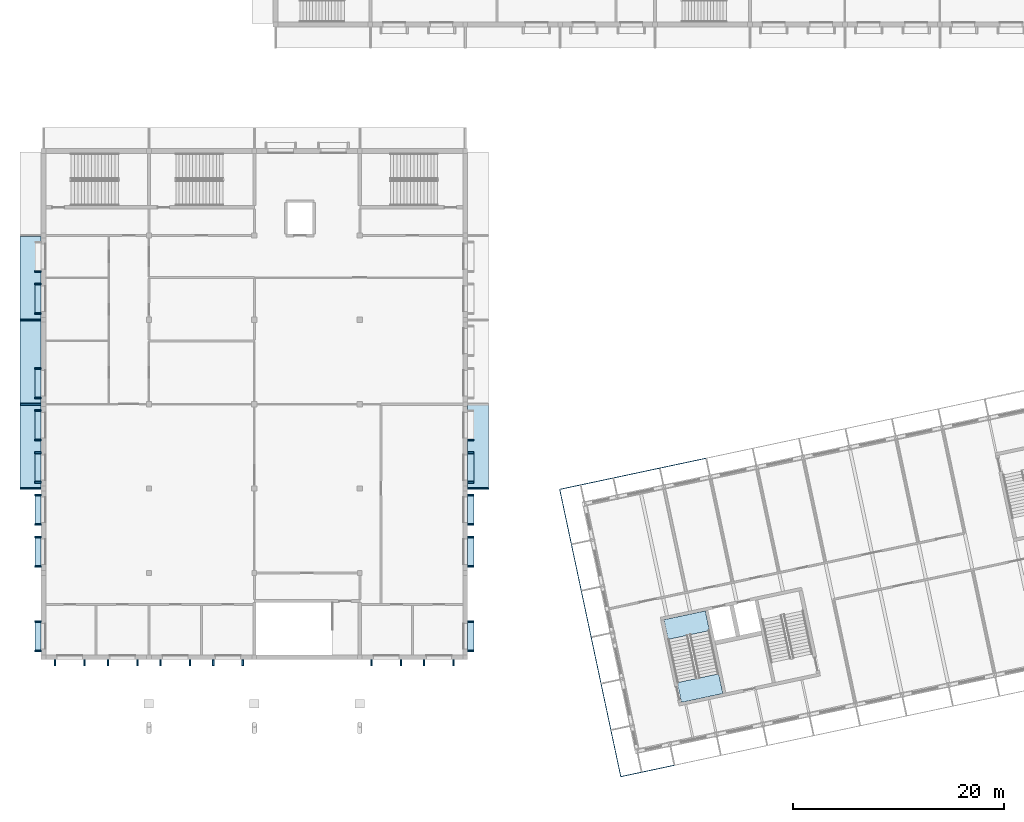
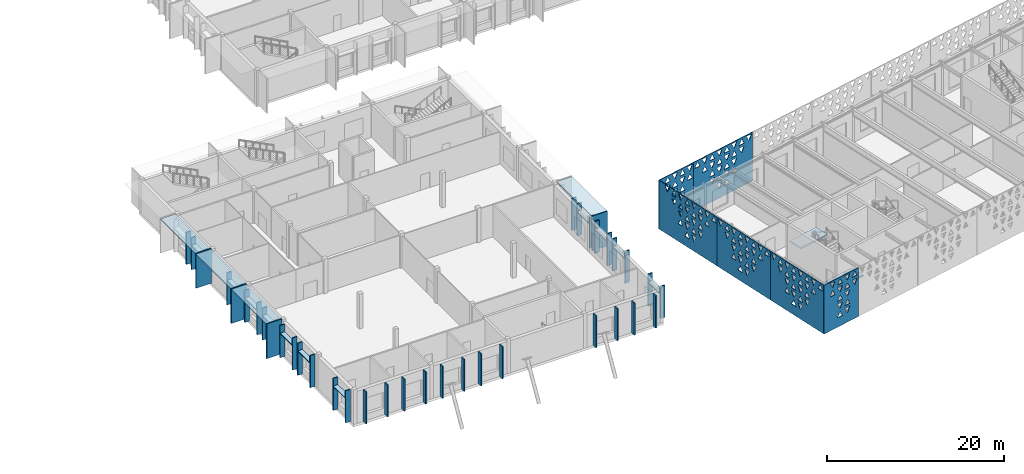
# One storey, part 95 of 182: 61 plates, 2 slabs, 1 element without a shape of its own.
"""IFC4 building model written with IfcOpenShell, lengths in metres."""

from ifc_helpers import new_model, si_unit, direction, frame, origin, origin_2d, place, context, subcontext, project, spatial, polyline, rectangle, outline, extrude, material, layer, layer_set, type_object, element, aggregate, save


model = new_model("IFC4")

# Units and contexts
model_context = context("Model", 3, precision=1e-05, world=origin(), true_north=direction((0.0, 1.0)))
body_context = subcontext(model_context, "Body", "Model", "MODEL_VIEW")
ifc_project = project(units=[si_unit("LENGTHUNIT", "METRE"), si_unit("AREAUNIT", "SQUARE_METRE"), si_unit("VOLUMEUNIT", "CUBIC_METRE"), si_unit("PLANEANGLEUNIT", "RADIAN"), si_unit("MASSUNIT", "GRAM", prefix="KILO")], contexts=[model_context])

# Site, building, storey
site_placement = place(None, origin())
site = spatial("IfcSite", under=ifc_project, at=site_placement, CompositionType="ELEMENT")
building_placement = place(site_placement, origin())
building = spatial("IfcBuilding", under=site, at=building_placement, Name="Okhra Congress Centre", CompositionType="ELEMENT")
storey_placement = place(building_placement, frame((0.0, 0.0, 7.199951171875)))
storey = spatial("IfcBuildingStorey", under=building, at=storey_placement, Name="L01", CompositionType="ELEMENT", Elevation=7.199951171875)

# Plates
ifc_material_1 = material(Name="Anodised aluminium extrusion", Category="aluminium")
plate_type_1 = type_object("IfcPlateType", Name="Aluminium fin 150x600", PredefinedType="SHEET", material=ifc_material_1)
for number, where, z_axis, x_axis, name in (
    (1, (7.10009765625, 35.47509765625, 0.0), (0.0, 0.0, 1.0), (1.0, 0.0, 0.0), "RS.PLT.L01.1"),
    (2, (9.89990234375, 35.47509765625, 0.0), (0.0, 0.0, 1.0), (1.0, 0.0, 0.0), "RS.PLT.L01.2"),
    (3, (12.10009765625, 35.47509765625, 0.0), (0.0, 0.0, 1.0), (1.0, 0.0, 0.0), "RS.PLT.L01.3"),
    (4, (14.89990234375, 35.47509765625, 0.0), (0.0, 0.0, 1.0), (1.0, 0.0, 0.0), "RS.PLT.L01.4"),
    (5, (17.10009765625, 35.47509765625, 0.0), (0.0, 0.0, 1.0), (1.0, 0.0, 0.0), "RS.PLT.L01.5"),
    (6, (19.89990234375, 35.47509765625, 0.0), (0.0, 0.0, 1.0), (1.0, 0.0, 0.0), "RS.PLT.L01.6"),
    (7, (22.10009765625, 35.47509765625, 0.0), (0.0, 0.0, 1.0), (1.0, 0.0, 0.0), "RS.PLT.L01.7"),
    (8, (24.89990234375, 35.47509765625, 0.0), (0.0, 0.0, 1.0), (1.0, 0.0, 0.0), "RS.PLT.L01.8"),
    (9, (37.10009765625, 35.47509765625, 0.0), (0.0, 0.0, 1.0), (1.0, 0.0, 0.0), "RS.PLT.L01.9"),
    (10, (39.89990234375, 35.47509765625, 0.0), (0.0, 0.0, 1.0), (1.0, 0.0, 0.0), "RS.PLT.L01.10"),
    (11, (42.10009765625, 35.47509765625, 0.0), (0.0, 0.0, 1.0), (1.0, 0.0, 0.0), "RS.PLT.L01.11"),
    (12, (44.89990234375, 35.47509765625, 0.0), (0.0, 0.0, 1.0), (1.0, 0.0, 0.0), "RS.PLT.L01.12"),
    (13, (5.47509765625, 36.60009765625, 0.0), (0.0, 0.0, 1.0), (0.0, -1.0, 0.0), "RS.PLT.L01.17"),
    (14, (5.47509765625, 39.39990234375, 0.0), (0.0, 0.0, 1.0), (0.0, -1.0, 0.0), "RS.PLT.L01.18"),
    (15, (5.47509765625, 44.60009765625, 0.0), (0.0, 0.0, 1.0), (0.0, -1.0, 0.0), "RS.PLT.L01.19"),
    (16, (5.47509765625, 47.39990234375, 0.0), (0.0, 0.0, 1.0), (0.0, -1.0, 0.0), "RS.PLT.L01.20"),
    (17, (5.47509765625, 48.60009765625, 0.0), (0.0, 0.0, 1.0), (0.0, -1.0, 0.0), "RS.PLT.L01.21"),
    (18, (5.47509765625, 51.39990234375, 0.0), (0.0, 0.0, 1.0), (0.0, -1.0, 0.0), "RS.PLT.L01.22"),
    (19, (5.47509765625, 52.60009765625, 0.0), (0.0, 0.0, 1.0), (0.0, -1.0, 0.0), "RS.PLT.L01.23"),
    (20, (5.47509765625, 55.39990234375, 0.0), (0.0, 0.0, 1.0), (0.0, -1.0, 0.0), "RS.PLT.L01.24"),
    (21, (5.47509765625, 56.60009765625, 0.0), (0.0, 0.0, 1.0), (0.0, -1.0, 0.0), "RS.PLT.L01.25"),
    (22, (5.47509765625, 59.39990234375, 0.0), (0.0, 0.0, 1.0), (0.0, -1.0, 0.0), "RS.PLT.L01.26"),
    (23, (5.47509765625, 60.60009765625, 0.0), (0.0, 0.0, 1.0), (0.0, -1.0, 0.0), "RS.PLT.L01.27"),
    (24, (5.47509765625, 63.39990234375, 0.0), (0.0, 0.0, 1.0), (0.0, -1.0, 0.0), "RS.PLT.L01.28"),
    (25, (5.47509765625, 68.60009765625, 0.0), (0.0, 0.0, 1.0), (0.0, -1.0, 0.0), "RS.PLT.L01.29"),
    (26, (5.47509765625, 71.39990234375, 0.0), (0.0, 0.0, 1.0), (0.0, -1.0, 0.0), "RS.PLT.L01.30"),
    (27, (5.47509765625, 72.60009765625, 0.0), (0.0, 0.0, 1.0), (0.0, -1.0, 0.0), "RS.PLT.L01.31"),
    (28, (46.52490234375, 36.60009765625, 0.0), (0.0, 0.0, 1.0), (0.0, 1.0, 0.0), "RS.PLT.L01.33"),
    (29, (46.52490234375, 39.39990234375, 0.0), (0.0, 0.0, 1.0), (0.0, 1.0, 0.0), "RS.PLT.L01.34"),
    (30, (46.52490234375, 44.60009765625, 0.0), (0.0, 0.0, 1.0), (0.0, 1.0, 0.0), "RS.PLT.L01.35"),
    (31, (46.52490234375, 47.39990234375, 0.0), (0.0, 0.0, 1.0), (0.0, 1.0, 0.0), "RS.PLT.L01.36"),
    (32, (46.52490234375, 48.60009765625, 0.0), (0.0, 0.0, 1.0), (0.0, 1.0, 0.0), "RS.PLT.L01.37"),
    (33, (46.52490234375, 51.39990234375, 0.0), (0.0, 0.0, 1.0), (0.0, 1.0, 0.0), "RS.PLT.L01.38"),
    (34, (46.52490234375, 52.60009765625, 0.0), (0.0, 0.0, 1.0), (0.0, 1.0, 0.0), "RS.PLT.L01.39"),
    (35, (46.52490234375, 55.39990234375, 0.0), (0.0, 0.0, 1.0), (0.0, 1.0, 0.0), "RS.PLT.L01.40"),
    (36, (46.52490234375, 56.60009765625, 0.0), (0.0, 0.0, 1.0), (0.0, 1.0, 0.0), "RS.PLT.L01.41"),
):
    element("IfcPlate", number, at=place(storey_placement, frame(where, z_axis=z_axis, x_axis=x_axis)), inside=storey, type_object=plate_type_1, Name=name, PredefinedType="SHEET", context=body_context, shape_type="SweptSolid", body=[
        extrude(rectangle(XDim=0.14990234375, YDim=0.60009765625, at=origin_2d()), origin(), (0.0, 0.0, 1.0), 4.429931640625),
    ])
ifc_material_2 = material(Name="Precast concrete C40/50", Category="concrete")
plate_type_2 = type_object("IfcPlateType", Name="Precast concrete blade 150x2000 C40/50", PredefinedType="SHEET", material=ifc_material_2)
for number, where, z_axis, x_axis, name in (
    (37, (4.77490234375, 52.0, 0.0), (0.0, 0.0, 1.0), (0.0, -1.0, 0.0), "RS.PLT.L01.blade-6"),
    (38, (4.77490234375, 60.0, 0.0), (0.0, 0.0, 1.0), (0.0, -1.0, 0.0), "RS.PLT.L01.blade-7"),
    (39, (4.77490234375, 68.0, 0.0), (0.0, 0.0, 1.0), (0.0, -1.0, 0.0), "RS.PLT.L01.blade-8"),
    (40, (47.22509765625, 52.0, 0.0), (0.0, 0.0, 1.0), (0.0, 1.0, 0.0), "RS.PLT.L01.blade-10"),
):
    element("IfcPlate", number, at=place(storey_placement, frame(where, z_axis=z_axis, x_axis=x_axis)), inside=storey, type_object=plate_type_2, Name=name, PredefinedType="SHEET", context=body_context, shape_type="SweptSolid", body=[
        extrude(rectangle(XDim=0.14990234375, YDim=2.0, at=origin_2d()), origin(), (0.0, 0.0, 1.0), 4.800048828125),
    ])
ifc_layer_1 = layer(ifc_material_2, 0.14990234375)
ifc_layer_set_1 = layer_set([ifc_layer_1], Name="Precast concrete shelf 150x2000 C40/50")
plate_type_3 = type_object("IfcPlateType", Name="Precast concrete shelf 150x2000 C40/50", PredefinedType="SHEET", material=ifc_layer_set_1)
for number, where, z_axis, x_axis, name in (
    (41, (4.77490234375, 56.0, 4.60009765625), (0.0, 0.0, 1.0), (0.0, -1.0, 0.0), "RS.PLT.L01.shelf-5"),
    (42, (4.77490234375, 64.0, 4.60009765625), (0.0, 0.0, 1.0), (0.0, -1.0, 0.0), "RS.PLT.L01.shelf-6"),
    (43, (4.77490234375, 72.0, 4.60009765625), (0.0, 0.0, 1.0), (0.0, -1.0, 0.0), "RS.PLT.L01.shelf-7"),
    (44, (47.22509765625, 56.0, 4.60009765625), (0.0, 0.0, 1.0), (0.0, 1.0, 0.0), "RS.PLT.L01.shelf-9"),
):
    element("IfcPlate", number, at=place(storey_placement, frame(where, z_axis=z_axis, x_axis=x_axis)), inside=storey, type_object=plate_type_3, Name=name, PredefinedType="SHEET", context=body_context, shape_type="SweptSolid", body=[
        extrude(rectangle(XDim=7.840087890625, YDim=2.0, at=origin_2d()), origin(), (0.0, 0.0, 1.0), 0.14990234375),
    ])

# Slab
ifc_material_3 = material(Name="Concrete C30/37", Category="concrete")
ifc_layer_2 = layer(ifc_material_3, 0.199951171875)
ifc_layer_set_2 = layer_set([ifc_layer_2], Name="RC floor slab 200 REI 120 C30/37")
slab_type_1 = type_object("IfcSlabType", Name="RC floor slab 200 REI 120 C30/37", PredefinedType="FLOOR", material=ifc_layer_set_2)
slab_1_placement = place(storey_placement, frame((0.0, 0.0, -0.199951171875)))
element("IfcSlab", 45, at=slab_1_placement, inside=storey, type_object=slab_type_1, Name="Stair floor landing 1A L01", PredefinedType="FLOOR", context=body_context, shape_type="SweptSolid", body=[
    extrude(outline(polyline([(70.425537109375, 32.562255859375), (66.503173828125, 31.728515625), (66.106201171875, 33.596923828125), (70.028564453125, 34.4306640625), (70.425537109375, 32.562255859375)])), origin(), (0.0, 0.0, 1.0), 0.199951171875),
])

# Stair, slab
stair_type = type_object("IfcStairType", Name="Escape stair 1900 wide, 30 risers of 160.0", PredefinedType="HALF_TURN_STAIR", material=ifc_material_3)
stair_placement = place(storey_placement, origin())
stair = element("IfcStair", 46, at=stair_placement, inside=storey, type_object=stair_type, Name="L01 Escape stair 1A", PredefinedType="HALF_TURN_STAIR")
ifc_layer_3 = layer(ifc_material_3, 0.199951171875)
ifc_layer_set_3 = layer_set([ifc_layer_3], Name="RC stair landing 200 C30/37")
slab_type_2 = type_object("IfcSlabType", Name="RC stair landing 200 C30/37", PredefinedType="LANDING", material=ifc_layer_set_3)
slab_2_placement = place(storey_placement, frame((0.0, 0.0, 2.199951171875)))
slab_2 = element("IfcSlab", 47, at=slab_2_placement, type_object=slab_type_2, Name="BS1A landing 1", PredefinedType="LANDING", context=body_context, shape_type="SweptSolid", body=[
    extrude(outline(polyline([(69.1572265625, 38.529052734375), (65.23486328125, 37.6953125), (64.837890625, 39.5634765625), (68.76025390625, 40.397216796875), (69.1572265625, 38.529052734375)])), origin(), (0.0, 0.0, 1.0), 0.2001953125),
])
aggregate(stair, [slab_2])

# Plates
ifc_material_4 = material(Name="Fired clay terracotta rainscreen panel, deep oxide-red glaze, non-combustible", Category="masonry")
ifc_layer_4 = layer(ifc_material_4, 0.080078125)
ifc_layer_set_4 = layer_set([ifc_layer_4], Name="Terracotta screen panel 5230x6720")
plate_type_4 = type_object("IfcPlateType", Name="Terracotta screen panel 5230x6720", PredefinedType="SHEET", material=ifc_layer_set_4)
plate_1_placement = place(storey_placement, frame((60.708251953125, 24.674560546875, 0.010009765625), z_axis=(0.0, 0.0, 1.0), x_axis=(0.978146748157, 0.207915701837, 0.0)))
element("IfcPlate", 48, at=plate_1_placement, inside=storey, type_object=plate_type_4, Name="Screen panel S1 Tier 1", PredefinedType="SHEET", context=body_context, shape_type="SweptSolid", body=[
    extrude(outline(polyline([(0.0, 0.0), (5.22998046875, 0.0), (5.22998046875, 6.719970703125), (0.0, 6.719970703125), (0.0, 0.0)]), holes=[polyline([(2.04638671875, 1.303955078125), (2.8134765625, 1.303955078125), (2.429931640625, 2.05615234375), (2.04638671875, 1.303955078125)]), polyline([(3.16650390625, 2.05615234375), (3.550048828125, 1.303955078125), (3.93359375, 2.05615234375), (3.16650390625, 2.05615234375)]), polyline([(2.04638671875, 3.176025390625), (2.429931640625, 2.423828125), (2.8134765625, 3.176025390625), (2.04638671875, 3.176025390625)]), polyline([(3.16650390625, 2.423828125), (3.93359375, 2.423828125), (3.550048828125, 3.176025390625), (3.16650390625, 2.423828125)]), polyline([(2.04638671875, 3.5439453125), (2.8134765625, 3.5439453125), (2.429931640625, 4.296142578125), (2.04638671875, 3.5439453125)]), polyline([(3.16650390625, 4.296142578125), (3.550048828125, 3.5439453125), (3.93359375, 4.296142578125), (3.16650390625, 4.296142578125)]), polyline([(0.926513671875, 4.663818359375), (1.693603515625, 4.663818359375), (1.31005859375, 5.416015625), (0.926513671875, 4.663818359375)]), polyline([(2.04638671875, 5.416015625), (2.429931640625, 4.663818359375), (2.8134765625, 5.416015625), (2.04638671875, 5.416015625)]), polyline([(3.16650390625, 4.663818359375), (3.93359375, 4.663818359375), (3.550048828125, 5.416015625), (3.16650390625, 4.663818359375)]), polyline([(4.286376953125, 5.416015625), (4.669921875, 4.663818359375), (5.0537109375, 5.416015625), (4.286376953125, 5.416015625)]), polyline([(0.926513671875, 6.5361328125), (1.31005859375, 5.783935546875), (1.693603515625, 6.5361328125), (0.926513671875, 6.5361328125)]), polyline([(2.04638671875, 5.783935546875), (2.8134765625, 5.783935546875), (2.429931640625, 6.5361328125), (2.04638671875, 5.783935546875)]), polyline([(3.16650390625, 6.5361328125), (3.550048828125, 5.783935546875), (3.93359375, 6.5361328125), (3.16650390625, 6.5361328125)]), polyline([(4.286376953125, 5.783935546875), (5.0537109375, 5.783935546875), (4.669921875, 6.5361328125), (4.286376953125, 5.783935546875)])]), frame((0.0, 0.0400390625, 0.0), z_axis=(0.0, -1.0, 0.0), x_axis=(1.0, 0.0, 0.0)), (0.0, 0.0, 1.0), 0.080078125),
])
plate_2_placement = place(storey_placement, frame((60.033447265625, 53.00341796875, 0.010009765625), z_axis=(0.0, 0.0, 1.0), x_axis=(-0.978146748157, -0.207915701837, 0.0)))
element("IfcPlate", 49, at=plate_2_placement, inside=storey, type_object=plate_type_4, Name="Screen panel N19 Tier 1", PredefinedType="SHEET", context=body_context, shape_type="SweptSolid", body=[
    extrude(outline(polyline([(0.0, 0.0), (5.22998046875, 0.0), (5.22998046875, 6.719970703125), (0.0, 6.719970703125), (0.0, 0.0)]), holes=[polyline([(1.29638671875, 1.303955078125), (2.0634765625, 1.303955078125), (1.679931640625, 2.05615234375), (1.29638671875, 1.303955078125)]), polyline([(2.41650390625, 2.05615234375), (2.800048828125, 1.303955078125), (3.18359375, 2.05615234375), (2.41650390625, 2.05615234375)]), polyline([(1.29638671875, 3.176025390625), (1.679931640625, 2.423828125), (2.0634765625, 3.176025390625), (1.29638671875, 3.176025390625)]), polyline([(2.41650390625, 2.423828125), (3.18359375, 2.423828125), (2.800048828125, 3.176025390625), (2.41650390625, 2.423828125)]), polyline([(1.29638671875, 3.5439453125), (2.0634765625, 3.5439453125), (1.679931640625, 4.296142578125), (1.29638671875, 3.5439453125)]), polyline([(2.41650390625, 4.296142578125), (2.800048828125, 3.5439453125), (3.18359375, 4.296142578125), (2.41650390625, 4.296142578125)]), polyline([(0.176513671875, 4.663818359375), (0.943603515625, 4.663818359375), (0.56005859375, 5.416015625), (0.176513671875, 4.663818359375)]), polyline([(1.29638671875, 5.416015625), (1.679931640625, 4.663818359375), (2.0634765625, 5.416015625), (1.29638671875, 5.416015625)]), polyline([(2.41650390625, 4.663818359375), (3.18359375, 4.663818359375), (2.800048828125, 5.416015625), (2.41650390625, 4.663818359375)]), polyline([(3.536376953125, 5.416015625), (3.919921875, 4.663818359375), (4.3037109375, 5.416015625), (3.536376953125, 5.416015625)]), polyline([(0.176513671875, 6.5361328125), (0.56005859375, 5.783935546875), (0.943603515625, 6.5361328125), (0.176513671875, 6.5361328125)]), polyline([(1.29638671875, 5.783935546875), (2.0634765625, 5.783935546875), (1.679931640625, 6.5361328125), (1.29638671875, 5.783935546875)]), polyline([(2.41650390625, 6.5361328125), (2.800048828125, 5.783935546875), (3.18359375, 6.5361328125), (2.41650390625, 6.5361328125)]), polyline([(3.536376953125, 5.783935546875), (4.3037109375, 5.783935546875), (3.919921875, 6.5361328125), (3.536376953125, 5.783935546875)])]), frame((0.0, 0.0400390625, 0.0), z_axis=(0.0, -1.0, 0.0), x_axis=(1.0, 0.0, 0.0)), (0.0, 0.0, 1.0), 0.080078125),
])
ifc_layer_5 = layer(ifc_material_4, 0.080078125)
ifc_layer_set_5 = layer_set([ifc_layer_5], Name="Terracotta screen panel 8970x6720")
plate_type_5 = type_object("IfcPlateType", Name="Terracotta screen panel 8970x6720", PredefinedType="SHEET", material=ifc_layer_set_5)
plate_3_placement = place(storey_placement, frame((58.8740234375, 33.49609375, 0.010009765625), z_axis=(0.0, 0.0, 1.0), x_axis=(0.207915396115, -0.978146813141, 0.0)))
element("IfcPlate", 50, at=plate_3_placement, inside=storey, type_object=plate_type_5, Name="Screen panel W3 Tier 1", PredefinedType="SHEET", context=body_context, shape_type="SweptSolid", body=[
    extrude(outline(polyline([(0.0, 0.0), (8.969970703125, 0.0), (8.969970703125, 6.719970703125), (0.0, 6.719970703125), (0.0, 0.0)]), holes=[polyline([(3.536376953125, 1.303955078125), (4.3037109375, 1.303955078125), (3.919921875, 2.05615234375), (3.536376953125, 1.303955078125)]), polyline([(4.656494140625, 2.05615234375), (5.0400390625, 1.303955078125), (5.423583984375, 2.05615234375), (4.656494140625, 2.05615234375)]), polyline([(2.41650390625, 2.423828125), (3.18359375, 2.423828125), (2.800048828125, 3.176025390625), (2.41650390625, 2.423828125)]), polyline([(3.536376953125, 3.176025390625), (3.919921875, 2.423828125), (4.3037109375, 3.176025390625), (3.536376953125, 3.176025390625)]), polyline([(4.656494140625, 2.423828125), (5.423583984375, 2.423828125), (5.0400390625, 3.176025390625), (4.656494140625, 2.423828125)]), polyline([(5.7763671875, 3.176025390625), (6.159912109375, 2.423828125), (6.543701171875, 3.176025390625), (5.7763671875, 3.176025390625)]), polyline([(2.41650390625, 4.296142578125), (2.800048828125, 3.5439453125), (3.18359375, 4.296142578125), (2.41650390625, 4.296142578125)]), polyline([(3.536376953125, 3.5439453125), (4.3037109375, 3.5439453125), (3.919921875, 4.296142578125), (3.536376953125, 3.5439453125)]), polyline([(4.656494140625, 4.296142578125), (5.0400390625, 3.5439453125), (5.423583984375, 4.296142578125), (4.656494140625, 4.296142578125)]), polyline([(5.7763671875, 3.5439453125), (6.543701171875, 3.5439453125), (6.159912109375, 4.296142578125), (5.7763671875, 3.5439453125)]), polyline([(1.29638671875, 5.416015625), (1.679931640625, 4.663818359375), (2.0634765625, 5.416015625), (1.29638671875, 5.416015625)]), polyline([(2.41650390625, 4.663818359375), (3.18359375, 4.663818359375), (2.800048828125, 5.416015625), (2.41650390625, 4.663818359375)]), polyline([(3.536376953125, 5.416015625), (3.919921875, 4.663818359375), (4.3037109375, 5.416015625), (3.536376953125, 5.416015625)]), polyline([(4.656494140625, 4.663818359375), (5.423583984375, 4.663818359375), (5.0400390625, 5.416015625), (4.656494140625, 4.663818359375)]), polyline([(5.7763671875, 5.416015625), (6.159912109375, 4.663818359375), (6.543701171875, 5.416015625), (5.7763671875, 5.416015625)]), polyline([(6.896484375, 4.663818359375), (7.66357421875, 4.663818359375), (7.280029296875, 5.416015625), (6.896484375, 4.663818359375)]), polyline([(0.176513671875, 6.5361328125), (0.56005859375, 5.783935546875), (0.943603515625, 6.5361328125), (0.176513671875, 6.5361328125)]), polyline([(1.29638671875, 5.783935546875), (2.0634765625, 5.783935546875), (1.679931640625, 6.5361328125), (1.29638671875, 5.783935546875)]), polyline([(2.41650390625, 6.5361328125), (2.800048828125, 5.783935546875), (3.18359375, 6.5361328125), (2.41650390625, 6.5361328125)]), polyline([(3.536376953125, 5.783935546875), (4.3037109375, 5.783935546875), (3.919921875, 6.5361328125), (3.536376953125, 5.783935546875)]), polyline([(4.656494140625, 6.5361328125), (5.0400390625, 5.783935546875), (5.423583984375, 6.5361328125), (4.656494140625, 6.5361328125)]), polyline([(5.7763671875, 5.783935546875), (6.543701171875, 5.783935546875), (6.159912109375, 6.5361328125), (5.7763671875, 5.783935546875)]), polyline([(6.896484375, 6.5361328125), (7.280029296875, 5.783935546875), (7.66357421875, 6.5361328125), (6.896484375, 6.5361328125)]), polyline([(8.016357421875, 5.783935546875), (8.78369140625, 5.783935546875), (8.39990234375, 6.5361328125), (8.016357421875, 5.783935546875)])]), frame((0.0, 0.0400390625, 0.0), z_axis=(0.0, -1.0, 0.0), x_axis=(1.0, 0.0, 0.0)), (0.0, 0.0, 1.0), 0.080078125),
])
ifc_layer_6 = layer(ifc_material_4, 0.080078125)
ifc_layer_set_6 = layer_set([ifc_layer_6], Name="Terracotta screen panel 8980x6720")
plate_type_6 = type_object("IfcPlateType", Name="Terracotta screen panel 8980x6720", PredefinedType="SHEET", material=ifc_layer_set_6)
plate_4_placement = place(storey_placement, frame((68.8369140625, 54.87451171875, 0.010009765625), z_axis=(0.0, 0.0, 1.0), x_axis=(-0.978149591018, -0.207902327047, 0.0)))
element("IfcPlate", 51, at=plate_4_placement, inside=storey, type_object=plate_type_6, Name="Screen panel N18 Tier 1", PredefinedType="SHEET", context=body_context, shape_type="SweptSolid", body=[
    extrude(outline(polyline([(0.0, 0.0), (8.97998046875, 0.0), (8.97998046875, 6.719970703125), (0.0, 6.719970703125), (0.0, 0.0)]), holes=[polyline([(3.536376953125, 1.303955078125), (4.3037109375, 1.303955078125), (3.919921875, 2.05615234375), (3.536376953125, 1.303955078125)]), polyline([(4.656494140625, 2.05615234375), (5.0400390625, 1.303955078125), (5.423583984375, 2.05615234375), (4.656494140625, 2.05615234375)]), polyline([(2.41650390625, 2.423828125), (3.18359375, 2.423828125), (2.800048828125, 3.176025390625), (2.41650390625, 2.423828125)]), polyline([(3.536376953125, 3.176025390625), (3.919921875, 2.423828125), (4.3037109375, 3.176025390625), (3.536376953125, 3.176025390625)]), polyline([(4.656494140625, 2.423828125), (5.423583984375, 2.423828125), (5.0400390625, 3.176025390625), (4.656494140625, 2.423828125)]), polyline([(5.7763671875, 3.176025390625), (6.159912109375, 2.423828125), (6.543701171875, 3.176025390625), (5.7763671875, 3.176025390625)]), polyline([(2.41650390625, 4.296142578125), (2.800048828125, 3.5439453125), (3.18359375, 4.296142578125), (2.41650390625, 4.296142578125)]), polyline([(3.536376953125, 3.5439453125), (4.3037109375, 3.5439453125), (3.919921875, 4.296142578125), (3.536376953125, 3.5439453125)]), polyline([(4.656494140625, 4.296142578125), (5.0400390625, 3.5439453125), (5.423583984375, 4.296142578125), (4.656494140625, 4.296142578125)]), polyline([(5.7763671875, 3.5439453125), (6.543701171875, 3.5439453125), (6.159912109375, 4.296142578125), (5.7763671875, 3.5439453125)]), polyline([(1.29638671875, 5.416015625), (1.679931640625, 4.663818359375), (2.0634765625, 5.416015625), (1.29638671875, 5.416015625)]), polyline([(2.41650390625, 4.663818359375), (3.18359375, 4.663818359375), (2.800048828125, 5.416015625), (2.41650390625, 4.663818359375)]), polyline([(3.536376953125, 5.416015625), (3.919921875, 4.663818359375), (4.3037109375, 5.416015625), (3.536376953125, 5.416015625)]), polyline([(4.656494140625, 4.663818359375), (5.423583984375, 4.663818359375), (5.0400390625, 5.416015625), (4.656494140625, 4.663818359375)]), polyline([(5.7763671875, 5.416015625), (6.159912109375, 4.663818359375), (6.543701171875, 5.416015625), (5.7763671875, 5.416015625)]), polyline([(6.896484375, 4.663818359375), (7.66357421875, 4.663818359375), (7.280029296875, 5.416015625), (6.896484375, 4.663818359375)]), polyline([(0.176513671875, 6.5361328125), (0.56005859375, 5.783935546875), (0.943603515625, 6.5361328125), (0.176513671875, 6.5361328125)]), polyline([(1.29638671875, 5.783935546875), (2.0634765625, 5.783935546875), (1.679931640625, 6.5361328125), (1.29638671875, 5.783935546875)]), polyline([(2.41650390625, 6.5361328125), (2.800048828125, 5.783935546875), (3.18359375, 6.5361328125), (2.41650390625, 6.5361328125)]), polyline([(3.536376953125, 5.783935546875), (4.3037109375, 5.783935546875), (3.919921875, 6.5361328125), (3.536376953125, 5.783935546875)]), polyline([(4.656494140625, 6.5361328125), (5.0400390625, 5.783935546875), (5.423583984375, 6.5361328125), (4.656494140625, 6.5361328125)]), polyline([(5.7763671875, 5.783935546875), (6.543701171875, 5.783935546875), (6.159912109375, 6.5361328125), (5.7763671875, 5.783935546875)]), polyline([(6.896484375, 6.5361328125), (7.280029296875, 5.783935546875), (7.66357421875, 6.5361328125), (6.896484375, 6.5361328125)]), polyline([(8.016357421875, 5.783935546875), (8.78369140625, 5.783935546875), (8.39990234375, 6.5361328125), (8.016357421875, 5.783935546875)])]), frame((0.0, 0.0400390625, 0.0), z_axis=(0.0, -1.0, 0.0), x_axis=(1.0, 0.0, 0.0)), (0.0, 0.0, 1.0), 0.080078125),
])
plate_5_placement = place(storey_placement, frame((57.0029296875, 42.29931640625, 0.010009765625), z_axis=(0.0, 0.0, 1.0), x_axis=(0.207902327047, -0.978149591018, 0.0)))
element("IfcPlate", 52, at=plate_5_placement, inside=storey, type_object=plate_type_6, Name="Screen panel W2 Tier 1", PredefinedType="SHEET", context=body_context, shape_type="SweptSolid", body=[
    extrude(outline(polyline([(0.0, 0.0), (8.97998046875, 0.0), (8.97998046875, 6.719970703125), (0.0, 6.719970703125), (0.0, 0.0)]), holes=[polyline([(3.536376953125, 1.303955078125), (4.3037109375, 1.303955078125), (3.919921875, 2.05615234375), (3.536376953125, 1.303955078125)]), polyline([(4.656494140625, 2.05615234375), (5.0400390625, 1.303955078125), (5.423583984375, 2.05615234375), (4.656494140625, 2.05615234375)]), polyline([(2.41650390625, 2.423828125), (3.18359375, 2.423828125), (2.800048828125, 3.176025390625), (2.41650390625, 2.423828125)]), polyline([(3.536376953125, 3.176025390625), (3.919921875, 2.423828125), (4.3037109375, 3.176025390625), (3.536376953125, 3.176025390625)]), polyline([(4.656494140625, 2.423828125), (5.423583984375, 2.423828125), (5.0400390625, 3.176025390625), (4.656494140625, 2.423828125)]), polyline([(5.7763671875, 3.176025390625), (6.159912109375, 2.423828125), (6.543701171875, 3.176025390625), (5.7763671875, 3.176025390625)]), polyline([(2.41650390625, 4.296142578125), (2.800048828125, 3.5439453125), (3.18359375, 4.296142578125), (2.41650390625, 4.296142578125)]), polyline([(3.536376953125, 3.5439453125), (4.3037109375, 3.5439453125), (3.919921875, 4.296142578125), (3.536376953125, 3.5439453125)]), polyline([(4.656494140625, 4.296142578125), (5.0400390625, 3.5439453125), (5.423583984375, 4.296142578125), (4.656494140625, 4.296142578125)]), polyline([(5.7763671875, 3.5439453125), (6.543701171875, 3.5439453125), (6.159912109375, 4.296142578125), (5.7763671875, 3.5439453125)]), polyline([(1.29638671875, 5.416015625), (1.679931640625, 4.663818359375), (2.0634765625, 5.416015625), (1.29638671875, 5.416015625)]), polyline([(2.41650390625, 4.663818359375), (3.18359375, 4.663818359375), (2.800048828125, 5.416015625), (2.41650390625, 4.663818359375)]), polyline([(3.536376953125, 5.416015625), (3.919921875, 4.663818359375), (4.3037109375, 5.416015625), (3.536376953125, 5.416015625)]), polyline([(4.656494140625, 4.663818359375), (5.423583984375, 4.663818359375), (5.0400390625, 5.416015625), (4.656494140625, 4.663818359375)]), polyline([(5.7763671875, 5.416015625), (6.159912109375, 4.663818359375), (6.543701171875, 5.416015625), (5.7763671875, 5.416015625)]), polyline([(6.896484375, 4.663818359375), (7.66357421875, 4.663818359375), (7.280029296875, 5.416015625), (6.896484375, 4.663818359375)]), polyline([(0.176513671875, 6.5361328125), (0.56005859375, 5.783935546875), (0.943603515625, 6.5361328125), (0.176513671875, 6.5361328125)]), polyline([(1.29638671875, 5.783935546875), (2.0634765625, 5.783935546875), (1.679931640625, 6.5361328125), (1.29638671875, 5.783935546875)]), polyline([(2.41650390625, 6.5361328125), (2.800048828125, 5.783935546875), (3.18359375, 6.5361328125), (2.41650390625, 6.5361328125)]), polyline([(3.536376953125, 5.783935546875), (4.3037109375, 5.783935546875), (3.919921875, 6.5361328125), (3.536376953125, 5.783935546875)]), polyline([(4.656494140625, 6.5361328125), (5.0400390625, 5.783935546875), (5.423583984375, 6.5361328125), (4.656494140625, 6.5361328125)]), polyline([(5.7763671875, 5.783935546875), (6.543701171875, 5.783935546875), (6.159912109375, 6.5361328125), (5.7763671875, 5.783935546875)]), polyline([(6.896484375, 6.5361328125), (7.280029296875, 5.783935546875), (7.66357421875, 6.5361328125), (6.896484375, 6.5361328125)]), polyline([(8.016357421875, 5.783935546875), (8.78369140625, 5.783935546875), (8.39990234375, 6.5361328125), (8.016357421875, 5.783935546875)])]), frame((0.0, 0.0400390625, 0.0), z_axis=(0.0, -1.0, 0.0), x_axis=(1.0, 0.0, 0.0)), (0.0, 0.0, 1.0), 0.080078125),
])
ifc_layer_7 = layer(ifc_material_4, 0.080078125)
ifc_layer_set_7 = layer_set([ifc_layer_7], Name="Terracotta screen panel 9780x6720")
plate_type_7 = type_object("IfcPlateType", Name="Terracotta screen panel 9780x6720", PredefinedType="SHEET", material=ifc_layer_set_7)
plate_6_placement = place(storey_placement, frame((54.96533203125, 51.88525390625, 0.010009765625), z_axis=(0.0, 0.0, 1.0), x_axis=(0.207916077978, -0.978146668204, 0.0)))
element("IfcPlate", 53, at=plate_6_placement, inside=storey, type_object=plate_type_7, Name="Screen panel W1 Tier 1", PredefinedType="SHEET", context=body_context, shape_type="SweptSolid", body=[
    extrude(outline(polyline([(0.0, 0.0), (9.780029296875, 0.0), (9.780029296875, 6.719970703125), (0.0, 6.719970703125), (0.0, 0.0)]), holes=[polyline([(4.3564453125, 1.303955078125), (5.12353515625, 1.303955078125), (4.739990234375, 2.05615234375), (4.3564453125, 1.303955078125)]), polyline([(5.476318359375, 2.05615234375), (5.860107421875, 1.303955078125), (6.24365234375, 2.05615234375), (5.476318359375, 2.05615234375)]), polyline([(3.236328125, 2.423828125), (4.003662109375, 2.423828125), (3.6201171875, 3.176025390625), (3.236328125, 2.423828125)]), polyline([(4.3564453125, 3.176025390625), (4.739990234375, 2.423828125), (5.12353515625, 3.176025390625), (4.3564453125, 3.176025390625)]), polyline([(5.476318359375, 2.423828125), (6.24365234375, 2.423828125), (5.860107421875, 3.176025390625), (5.476318359375, 2.423828125)]), polyline([(6.596435546875, 3.176025390625), (6.97998046875, 2.423828125), (7.363525390625, 3.176025390625), (6.596435546875, 3.176025390625)]), polyline([(3.236328125, 4.296142578125), (3.6201171875, 3.5439453125), (4.003662109375, 4.296142578125), (3.236328125, 4.296142578125)]), polyline([(4.3564453125, 3.5439453125), (5.12353515625, 3.5439453125), (4.739990234375, 4.296142578125), (4.3564453125, 3.5439453125)]), polyline([(5.476318359375, 4.296142578125), (5.860107421875, 3.5439453125), (6.24365234375, 4.296142578125), (5.476318359375, 4.296142578125)]), polyline([(6.596435546875, 3.5439453125), (7.363525390625, 3.5439453125), (6.97998046875, 4.296142578125), (6.596435546875, 3.5439453125)]), polyline([(2.116455078125, 5.416015625), (2.5, 4.663818359375), (2.883544921875, 5.416015625), (2.116455078125, 5.416015625)]), polyline([(3.236328125, 4.663818359375), (4.003662109375, 4.663818359375), (3.6201171875, 5.416015625), (3.236328125, 4.663818359375)]), polyline([(4.3564453125, 5.416015625), (4.739990234375, 4.663818359375), (5.12353515625, 5.416015625), (4.3564453125, 5.416015625)]), polyline([(5.476318359375, 4.663818359375), (6.24365234375, 4.663818359375), (5.860107421875, 5.416015625), (5.476318359375, 4.663818359375)]), polyline([(6.596435546875, 5.416015625), (6.97998046875, 4.663818359375), (7.363525390625, 5.416015625), (6.596435546875, 5.416015625)]), polyline([(7.71630859375, 4.663818359375), (8.483642578125, 4.663818359375), (8.10009765625, 5.416015625), (7.71630859375, 4.663818359375)]), polyline([(0.996337890625, 6.5361328125), (1.3798828125, 5.783935546875), (1.763671875, 6.5361328125), (0.996337890625, 6.5361328125)]), polyline([(2.116455078125, 5.783935546875), (2.883544921875, 5.783935546875), (2.5, 6.5361328125), (2.116455078125, 5.783935546875)]), polyline([(3.236328125, 6.5361328125), (3.6201171875, 5.783935546875), (4.003662109375, 6.5361328125), (3.236328125, 6.5361328125)]), polyline([(4.3564453125, 5.783935546875), (5.12353515625, 5.783935546875), (4.739990234375, 6.5361328125), (4.3564453125, 5.783935546875)]), polyline([(5.476318359375, 6.5361328125), (5.860107421875, 5.783935546875), (6.24365234375, 6.5361328125), (5.476318359375, 6.5361328125)]), polyline([(6.596435546875, 5.783935546875), (7.363525390625, 5.783935546875), (6.97998046875, 6.5361328125), (6.596435546875, 5.783935546875)]), polyline([(7.71630859375, 6.5361328125), (8.10009765625, 5.783935546875), (8.483642578125, 6.5361328125), (7.71630859375, 6.5361328125)]), polyline([(8.83642578125, 5.783935546875), (9.603515625, 5.783935546875), (9.219970703125, 6.5361328125), (8.83642578125, 5.783935546875)])]), frame((0.0, 0.0400390625, 0.0), z_axis=(0.0, -1.0, 0.0), x_axis=(1.0, 0.0, 0.0)), (0.0, 0.0, 1.0), 0.080078125),
])
ifc_material_5 = material(Name="Weathering steel S355J0WP", Category="steel")
ifc_layer_8 = layer(ifc_material_5, 0.1201171875)
ifc_layer_set_8 = layer_set([ifc_layer_8], Name="Weathering steel window hood 600x120")
plate_type_8 = type_object("IfcPlateType", Name="Weathering steel window hood 600x120", PredefinedType="SHEET", material=ifc_layer_set_8)
for number, where, z_axis, x_axis, name in (
    (54, (5.47509765625, 38.0, 3.2900390625), (0.0, 0.0, 1.0), (0.0, -1.0, 0.0), "RS.PLT.L01.hood-3"),
    (55, (5.47509765625, 46.0, 3.2900390625), (0.0, 0.0, 1.0), (0.0, -1.0, 0.0), "RS.PLT.L01.hood-4"),
    (56, (5.47509765625, 50.0, 3.2900390625), (0.0, 0.0, 1.0), (0.0, -1.0, 0.0), "RS.PLT.L01.hood-5"),
    (57, (5.47509765625, 54.0, 3.2900390625), (0.0, 0.0, 1.0), (0.0, -1.0, 0.0), "RS.PLT.L01.hood-6"),
    (58, (5.47509765625, 58.0, 3.2900390625), (0.0, 0.0, 1.0), (0.0, -1.0, 0.0), "RS.PLT.L01.hood-7"),
    (59, (5.47509765625, 62.0, 3.2900390625), (0.0, 0.0, 1.0), (0.0, -1.0, 0.0), "RS.PLT.L01.hood-8"),
    (60, (5.47509765625, 70.0, 3.2900390625), (0.0, 0.0, 1.0), (0.0, -1.0, 0.0), "RS.PLT.L01.hood-9"),
    (61, (46.52490234375, 38.0, 3.2900390625), (0.0, 0.0, 1.0), (0.0, 1.0, 0.0), "RS.PLT.L01.hood-11"),
    (62, (46.52490234375, 46.0, 3.2900390625), (0.0, 0.0, 1.0), (0.0, 1.0, 0.0), "RS.PLT.L01.hood-12"),
    (63, (46.52490234375, 50.0, 3.2900390625), (0.0, 0.0, 1.0), (0.0, 1.0, 0.0), "RS.PLT.L01.hood-13"),
    (64, (46.52490234375, 54.0, 3.2900390625), (0.0, 0.0, 1.0), (0.0, 1.0, 0.0), "RS.PLT.L01.hood-14"),
):
    element("IfcPlate", number, at=place(storey_placement, frame(where, z_axis=z_axis, x_axis=x_axis)), inside=storey, type_object=plate_type_8, Name=name, PredefinedType="SHEET", context=body_context, shape_type="SweptSolid", body=[
        extrude(rectangle(XDim=2.639892578125, YDim=0.60009765625, at=origin_2d()), origin(), (0.0, 0.0, 1.0), 0.1201171875),
    ])

save(model, "model.ifc")
